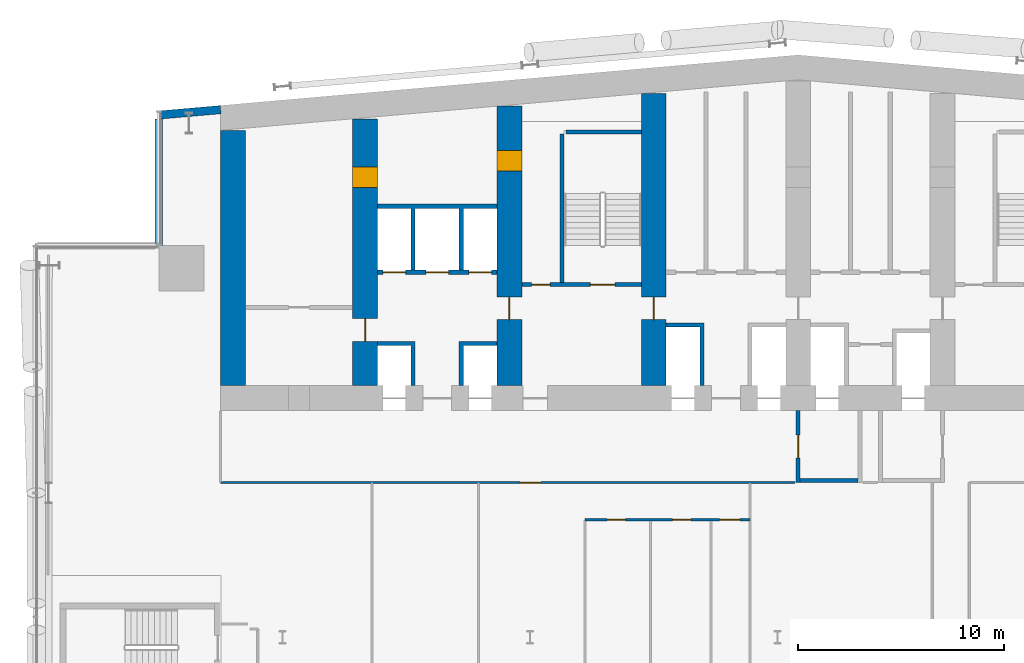
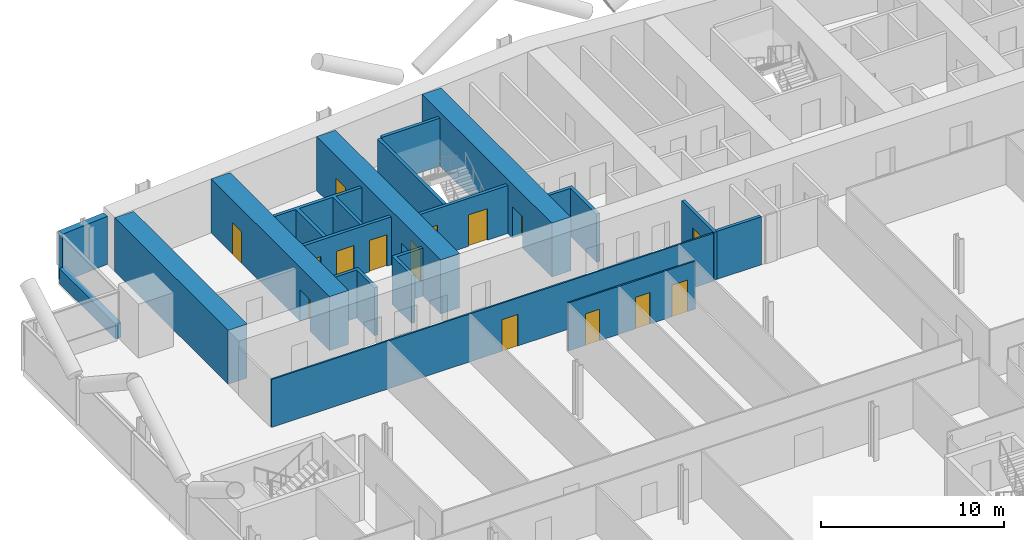
# One storey, part 15 of 27: 18 walls, 15 doors, 15 openings.
"""IFC4 building model written with IfcOpenShell, lengths in metres."""

from ifc_helpers import new_model, si_unit, direction, frame, frame_2d, origin, place, context, subcontext, project, spatial, polyline, rectangle, outline, extrude, material, layer, layer_set, type_object, element, fill, save


model = new_model("IFC4")

# Units and contexts
model_context = context("Model", 3, precision=1e-05, world=origin(), true_north=direction((0.0, 1.0)))
body_context = subcontext(model_context, "Body", "Model", "MODEL_VIEW")
ifc_project = project(units=[si_unit("LENGTHUNIT", "METRE"), si_unit("AREAUNIT", "SQUARE_METRE"), si_unit("VOLUMEUNIT", "CUBIC_METRE"), si_unit("PLANEANGLEUNIT", "RADIAN"), si_unit("MASSUNIT", "GRAM", prefix="KILO")], contexts=[model_context])

# Site, building, storey
site_placement = place(None, origin())
site = spatial("IfcSite", under=ifc_project, at=site_placement, CompositionType="ELEMENT")
building_placement = place(site_placement, origin())
building = spatial("IfcBuilding", under=site, at=building_placement, Name="Wharfspan Tower", CompositionType="ELEMENT")
storey_placement = place(building_placement, frame((0.0, 0.0, 84.699951)))
storey = spatial("IfcBuildingStorey", under=building, at=storey_placement, Name="L18", CompositionType="ELEMENT", Elevation=84.699951)

# Wall, opening, door
ifc_material_1 = material(Name="Gypsum board on steel studs", Category="steel")
ifc_layer_1 = layer(ifc_material_1, 0.100098)
ifc_layer_set_1 = layer_set([ifc_layer_1], Name="Gypsum board on steel studs")
wall_type_1 = type_object("IfcWallType", Name="Compartment wall 100 EI 60", PredefinedType="PARTITIONING", material=ifc_layer_set_1)
wall_1_placement = place(storey_placement, frame((9.0, 30.5, 0.0), z_axis=(0.0, 0.0, 1.0), x_axis=(1.0, 0.0, 0.0)))
wall_1 = element("IfcWall", 1, at=wall_1_placement, inside=storey, type_object=wall_type_1, Name="Partition L18.w009", PredefinedType="PARTITIONING", context=body_context, shape_type="SweptSolid", body=[
    extrude(rectangle(XDim=27.850098, YDim=0.100098, at=frame_2d((13.925049, 0.0))), origin(), (0.0, 0.0, 1.0), 3.199951),
])
opening_1_placement = place(wall_1_placement, frame((14.52002, 0.0, 0.0)))
opening_1 = element("IfcOpeningElement", 2, at=opening_1_placement, cuts=wall_1, Name="Opening A5-25", PredefinedType="OPENING", context=body_context, shape_type="SweptSolid", body=[
    extrude(rectangle(XDim=1.0, YDim=2.100098, at=frame_2d((0.5, 1.050049))), frame((0.0, 0.060059, 0.0), z_axis=(0.0, -1.0, 0.0), x_axis=(1.0, 0.0, 0.0)), (0.0, 0.0, 1.0), 0.120117),
])
ifc_material_2 = material(Name="Fire-rated timber door leaf in steel frame", Category="steel")
door_type_1 = type_object("IfcDoorType", Name="Door 1000 FD30S Left", OperationType="SINGLE_SWING_LEFT", PredefinedType="DOOR", material=ifc_material_2)
door_1_placement = place(opening_1_placement, origin())
door_1 = element("IfcDoor", 3, at=door_1_placement, inside=storey, type_object=door_type_1, Name="Door A5-25", OperationType="SINGLE_SWING_LEFT", OverallHeight=2.100098, OverallWidth=1.0, PredefinedType="DOOR", context=body_context, shape_type="SweptSolid", body=[
    extrude(rectangle(XDim=1.0, YDim=2.100098, at=frame_2d((0.5, 1.050049))), frame((0.0, 0.024902, 0.0), z_axis=(0.0, -1.0, 0.0), x_axis=(1.0, 0.0, 0.0)), (0.0, 0.0, 1.0), 0.050049),
])
fill(opening_1, door_1)

# Wall
ifc_material_3 = material(Name="Concrete C70/85", Category="concrete")
ifc_layer_2 = layer(ifc_material_3, 1.199951)
ifc_layer_set_2 = layer_set([ifc_layer_2], Name="Concrete C70/85")
wall_type_2 = type_object("IfcWallType", Name="Core wall 1200 C70/85", PredefinedType="SHEAR", material=ifc_layer_set_2)
wall_2_placement = place(storey_placement, frame((9.600098, 35.199951, 0.0), z_axis=(0.0, 0.0, 1.0), x_axis=(0.0, 1.0, 0.0)))
element("IfcWall", 4, at=wall_2_placement, inside=storey, type_object=wall_type_2, Name="Core cross wall EW0 L18", PredefinedType="SHEAR", context=body_context, shape_type="SweptSolid", body=[
    extrude(rectangle(XDim=12.382812, YDim=1.199951, at=frame_2d((6.191406, 0.0))), origin(), (0.0, 0.0, 1.0), 3.600098),
])

# Wall, openings, doors
wall_3_placement = place(storey_placement, frame((16.0, 35.199951, 0.0), z_axis=(0.0, 0.0, 1.0), x_axis=(0.0, 1.0, 0.0)))
wall_3 = element("IfcWall", 5, at=wall_3_placement, inside=storey, type_object=wall_type_2, Name="Core cross wall X1 L18", PredefinedType="SHEAR", context=body_context, shape_type="SweptSolid", body=[
    extrude(rectangle(XDim=12.942871, YDim=1.199951, at=frame_2d((6.471436, 0.0))), origin(), (0.0, 0.0, 1.0), 3.600098),
])
opening_2_placement = place(wall_3_placement, frame((2.149902, 0.0, 0.0)))
opening_2 = element("IfcOpeningElement", 6, at=opening_2_placement, cuts=wall_3, Name="Opening CC18.1", PredefinedType="OPENING", context=body_context, shape_type="SweptSolid", body=[
    extrude(rectangle(XDim=1.100098, YDim=2.100098, at=frame_2d((0.550049, 1.050049))), frame((0.0, 0.609863, 0.0), z_axis=(0.0, -1.0, 0.0), x_axis=(1.0, 0.0, 0.0)), (0.0, 0.0, 1.0), 1.219971),
])
opening_3_placement = place(wall_3_placement, frame((9.600098, 0.0, 0.0)))
opening_3 = element("IfcOpeningElement", 7, at=opening_3_placement, cuts=wall_3, Name="Opening CR18.1", PredefinedType="OPENING", context=body_context, shape_type="SweptSolid", body=[
    extrude(rectangle(XDim=1.0, YDim=2.100098, at=frame_2d((0.5, 1.050049))), frame((0.0, 0.609863, 0.0), z_axis=(0.0, -1.0, 0.0), x_axis=(1.0, 0.0, 0.0)), (0.0, 0.0, 1.0), 1.219971),
])
ifc_material_4 = material(Name="Steel door leaf", Category="steel")
door_type_2 = type_object("IfcDoorType", Name="Core corridor door 1100x2100", OperationType="SINGLE_SWING_LEFT", PredefinedType="DOOR", material=ifc_material_4)
door_2_placement = place(opening_2_placement, origin())
door_2 = element("IfcDoor", 8, at=door_2_placement, inside=storey, type_object=door_type_2, Name="xd:L18:1", OperationType="SINGLE_SWING_LEFT", OverallHeight=2.100098, OverallWidth=1.100098, PredefinedType="DOOR", context=body_context, shape_type="SweptSolid", body=[
    extrude(rectangle(XDim=1.100098, YDim=2.100098, at=frame_2d((0.550049, 1.050049))), frame((0.0, 0.024902, 0.0), z_axis=(0.0, -1.0, 0.0), x_axis=(1.0, 0.0, 0.0)), (0.0, 0.0, 1.0), 0.050049),
])
fill(opening_2, door_2)
door_type_3 = type_object("IfcDoorType", Name="Core room door 1000x2100", OperationType="SINGLE_SWING_LEFT", PredefinedType="DOOR", material=ifc_material_4)
door_3_placement = place(opening_3_placement, origin())
door_3 = element("IfcDoor", 9, at=door_3_placement, inside=storey, type_object=door_type_3, Name="xr:L18:1", OperationType="SINGLE_SWING_RIGHT", OverallHeight=2.100098, OverallWidth=1.0, PredefinedType="DOOR", context=body_context, shape_type="SweptSolid", body=[
    extrude(rectangle(XDim=1.0, YDim=2.100098, at=frame_2d((0.5, 1.050049))), frame((0.0, 0.599609, 0.0), z_axis=(0.0, -1.0, 0.0), x_axis=(1.0, 0.0, 0.0)), (0.0, 0.0, 1.0), 1.199463),
])
fill(opening_3, door_3)

wall_4_placement = place(storey_placement, frame((23.0, 35.199951, 0.0), z_axis=(0.0, 0.0, 1.0), x_axis=(0.0, 1.0, 0.0)))
wall_4 = element("IfcWall", 10, at=wall_4_placement, inside=storey, type_object=wall_type_2, Name="Core cross wall X2 L18", PredefinedType="SHEAR", context=body_context, shape_type="SweptSolid", body=[
    extrude(rectangle(XDim=13.555176, YDim=1.199951, at=frame_2d((6.777588, 0.0))), origin(), (0.0, 0.0, 1.0), 3.600098),
])
opening_4_placement = place(wall_4_placement, frame((10.413818, 0.0, 0.0)))
opening_4 = element("IfcOpeningElement", 11, at=opening_4_placement, cuts=wall_4, Name="Opening CD18.1X", PredefinedType="OPENING", context=body_context, shape_type="SweptSolid", body=[
    extrude(rectangle(XDim=1.0, YDim=2.100098, at=frame_2d((0.5, 1.050049))), frame((0.0, 0.609863, 0.0), z_axis=(0.0, -1.0, 0.0), x_axis=(1.0, 0.0, 0.0)), (0.0, 0.0, 1.0), 1.219971),
])
opening_5_placement = place(wall_4_placement, frame((3.199951, 0.0, 0.0)))
opening_5 = element("IfcOpeningElement", 12, at=opening_5_placement, cuts=wall_4, Name="Opening CC18.2", PredefinedType="OPENING", context=body_context, shape_type="SweptSolid", body=[
    extrude(rectangle(XDim=1.100098, YDim=2.100098, at=frame_2d((0.550049, 1.050049))), frame((0.0, 0.609863, 0.0), z_axis=(0.0, -1.0, 0.0), x_axis=(1.0, 0.0, 0.0)), (0.0, 0.0, 1.0), 1.219971),
])
door_4_placement = place(opening_5_placement, origin())
door_4 = element("IfcDoor", 13, at=door_4_placement, inside=storey, type_object=door_type_2, Name="xd:L18:2", OperationType="SINGLE_SWING_RIGHT", OverallHeight=2.100098, OverallWidth=1.100098, PredefinedType="DOOR", context=body_context, shape_type="SweptSolid", body=[
    extrude(rectangle(XDim=1.100098, YDim=2.100098, at=frame_2d((0.550049, 1.050049))), frame((0.0, 0.024902, 0.0), z_axis=(0.0, -1.0, 0.0), x_axis=(1.0, 0.0, 0.0)), (0.0, 0.0, 1.0), 0.050049),
])
fill(opening_5, door_4)
door_5_placement = place(opening_4_placement, origin())
door_5 = element("IfcDoor", 14, at=door_5_placement, inside=storey, type_object=door_type_3, Name="d:L18:1:sx", OperationType="SINGLE_SWING_LEFT", OverallHeight=2.100098, OverallWidth=1.0, PredefinedType="DOOR", context=body_context, shape_type="SweptSolid", body=[
    extrude(rectangle(XDim=1.0, YDim=2.100098, at=frame_2d((0.5, 1.050049))), frame((0.0, 0.599609, 0.0), z_axis=(0.0, -1.0, 0.0), x_axis=(1.0, 0.0, 0.0)), (0.0, 0.0, 1.0), 1.199463),
])
fill(opening_4, door_5)

# Wall, opening, door
wall_5_placement = place(storey_placement, frame((30.0, 35.199951, 0.0), z_axis=(0.0, 0.0, 1.0), x_axis=(0.0, 1.0, 0.0)))
wall_5 = element("IfcWall", 15, at=wall_5_placement, inside=storey, type_object=wall_type_2, Name="Core cross wall X3 L18", PredefinedType="SHEAR", context=body_context, shape_type="SweptSolid", body=[
    extrude(rectangle(XDim=14.167725, YDim=1.199951, at=frame_2d((7.083984, 0.0))), origin(), (0.0, 0.0, 1.0), 3.600098),
])
opening_6_placement = place(wall_5_placement, frame((3.199951, 0.0, 0.0)))
opening_6 = element("IfcOpeningElement", 16, at=opening_6_placement, cuts=wall_5, Name="Opening CC18.3", PredefinedType="OPENING", context=body_context, shape_type="SweptSolid", body=[
    extrude(rectangle(XDim=1.100098, YDim=2.100098, at=frame_2d((0.550049, 1.050049))), frame((0.0, 0.609863, 0.0), z_axis=(0.0, -1.0, 0.0), x_axis=(1.0, 0.0, 0.0)), (0.0, 0.0, 1.0), 1.219971),
])
door_6_placement = place(opening_6_placement, origin())
door_6 = element("IfcDoor", 17, at=door_6_placement, inside=storey, type_object=door_type_2, Name="xd:L18:3", OperationType="SINGLE_SWING_LEFT", OverallHeight=2.100098, OverallWidth=1.100098, PredefinedType="DOOR", context=body_context, shape_type="SweptSolid", body=[
    extrude(rectangle(XDim=1.100098, YDim=2.100098, at=frame_2d((0.550049, 1.050049))), frame((0.0, 0.024902, 0.0), z_axis=(0.0, -1.0, 0.0), x_axis=(1.0, 0.0, 0.0)), (0.0, 0.0, 1.0), 0.050049),
])
fill(opening_6, door_6)

# Wall, openings, doors
ifc_material_5 = material(Name="Concrete C30/37", Category="concrete")
ifc_layer_3 = layer(ifc_material_5, 0.199951)
ifc_layer_set_3 = layer_set([ifc_layer_3], Name="Concrete C30/37")
wall_type_3 = type_object("IfcWallType", Name="Lift shaft wall 200", PredefinedType="PARTITIONING", material=ifc_layer_set_3)
wall_6_placement = place(storey_placement, frame((16.600098, 40.699951, 0.0), z_axis=(0.0, 0.0, 1.0), x_axis=(1.0, 0.0, 0.0)))
wall_6 = element("IfcWall", 18, at=wall_6_placement, inside=storey, type_object=wall_type_3, Name="sw:L18:RF1", PredefinedType="PARTITIONING", context=body_context, shape_type="SweptSolid", body=[
    extrude(rectangle(XDim=5.799805, YDim=0.199951, at=frame_2d((2.899902, 0.0))), origin(), (0.0, 0.0, 1.0), 3.199951),
])
opening_7_placement = place(wall_6_placement, frame((0.266602, 0.0, 0.0)))
opening_7 = element("IfcOpeningElement", 19, at=opening_7_placement, cuts=wall_6, Name="Opening LD.LA3.L18", PredefinedType="OPENING", context=body_context, shape_type="SweptSolid", body=[
    extrude(rectangle(XDim=1.100098, YDim=2.100098, at=frame_2d((0.550049, 1.050049))), frame((0.0, 0.109863, 0.0), z_axis=(0.0, -1.0, 0.0), x_axis=(1.0, 0.0, 0.0)), (0.0, 0.0, 1.0), 0.219971),
])
opening_8_placement = place(wall_6_placement, frame((2.350098, 0.0, 0.0)))
opening_8 = element("IfcOpeningElement", 20, at=opening_8_placement, cuts=wall_6, Name="Opening LD.LA4.L18", PredefinedType="OPENING", context=body_context, shape_type="SweptSolid", body=[
    extrude(rectangle(XDim=1.100098, YDim=2.100098, at=frame_2d((0.550049, 1.050049))), frame((0.0, 0.109863, 0.0), z_axis=(0.0, -1.0, 0.0), x_axis=(1.0, 0.0, 0.0)), (0.0, 0.0, 1.0), 0.219971),
])
opening_9_placement = place(wall_6_placement, frame((4.43335, 0.0, 0.0)))
opening_9 = element("IfcOpeningElement", 21, at=opening_9_placement, cuts=wall_6, Name="Opening LD.LA5.L18", PredefinedType="OPENING", context=body_context, shape_type="SweptSolid", body=[
    extrude(rectangle(XDim=1.100098, YDim=2.100098, at=frame_2d((0.550049, 1.050049))), frame((0.0, 0.109863, 0.0), z_axis=(0.0, -1.0, 0.0), x_axis=(1.0, 0.0, 0.0)), (0.0, 0.0, 1.0), 0.219971),
])
ifc_material_6 = material(Name="Stainless steel", Category="steel")
door_type_4 = type_object("IfcDoorType", Name="Lift landing door 1100x2100", OperationType="DOUBLE_DOOR_SLIDING", PredefinedType="DOOR", material=ifc_material_6)
door_7_placement = place(opening_7_placement, origin())
door_7 = element("IfcDoor", 22, at=door_7_placement, inside=storey, type_object=door_type_4, Name="Landing door LA3 L18", OperationType="DOUBLE_DOOR_SLIDING", OverallHeight=2.100098, OverallWidth=1.100098, PredefinedType="DOOR", context=body_context, shape_type="SweptSolid", body=[
    extrude(rectangle(XDim=1.100098, YDim=2.100098, at=frame_2d((0.550049, 1.050049))), frame((0.0, 0.024902, 0.0), z_axis=(0.0, -1.0, 0.0), x_axis=(1.0, 0.0, 0.0)), (0.0, 0.0, 1.0), 0.050049),
])
fill(opening_7, door_7)
door_8_placement = place(opening_8_placement, origin())
door_8 = element("IfcDoor", 23, at=door_8_placement, inside=storey, type_object=door_type_4, Name="Landing door LA4 L18", OperationType="DOUBLE_DOOR_SLIDING", OverallHeight=2.100098, OverallWidth=1.100098, PredefinedType="DOOR", context=body_context, shape_type="SweptSolid", body=[
    extrude(rectangle(XDim=1.100098, YDim=2.100098, at=frame_2d((0.550049, 1.050049))), frame((0.0, 0.024902, 0.0), z_axis=(0.0, -1.0, 0.0), x_axis=(1.0, 0.0, 0.0)), (0.0, 0.0, 1.0), 0.050049),
])
fill(opening_8, door_8)
door_9_placement = place(opening_9_placement, origin())
door_9 = element("IfcDoor", 24, at=door_9_placement, inside=storey, type_object=door_type_4, Name="Landing door LA5 L18", OperationType="DOUBLE_DOOR_SLIDING", OverallHeight=2.100098, OverallWidth=1.100098, PredefinedType="DOOR", context=body_context, shape_type="SweptSolid", body=[
    extrude(rectangle(XDim=1.100098, YDim=2.100098, at=frame_2d((0.550049, 1.050049))), frame((0.0, 0.024902, 0.0), z_axis=(0.0, -1.0, 0.0), x_axis=(1.0, 0.0, 0.0)), (0.0, 0.0, 1.0), 0.050049),
])
fill(opening_9, door_9)

# Walls
wall_7_placement = place(storey_placement, frame((0.0, 0.0, -0.000244)))
element("IfcWall", 25, at=wall_7_placement, inside=storey, type_object=wall_type_3, Name="sw:L18:FM1.0", PredefinedType="PARTITIONING", context=body_context, shape_type="SweptSolid", body=[
    extrude(outline(polyline([(18.233398, 37.149902), (16.600098, 37.149902), (16.600098, 37.350098), (18.233398, 37.350098), (18.43335, 37.350098), (18.43335, 35.199951), (18.233398, 35.199951), (18.233398, 37.149902)])), origin(), (0.0, 0.0, 1.0), 3.200195),
])
wall_8_placement = place(storey_placement, frame((0.0, 0.0, -0.000244)))
element("IfcWall", 26, at=wall_8_placement, inside=storey, type_object=wall_type_3, Name="sw:L18:FM1.1", PredefinedType="PARTITIONING", context=body_context, shape_type="SweptSolid", body=[
    extrude(outline(polyline([(20.56665, 37.350098), (20.766602, 37.350098), (22.399902, 37.350098), (22.399902, 37.149902), (20.766602, 37.149902), (20.766602, 35.199951), (20.56665, 35.199951), (20.56665, 37.350098)])), origin(), (0.0, 0.0, 1.0), 3.200195),
])
wall_9_placement = place(storey_placement, frame((0.0, 0.0, -0.000244)))
element("IfcWall", 27, at=wall_9_placement, inside=storey, type_object=wall_type_3, Name="sw:L18:RM1.0", PredefinedType="PARTITIONING", context=body_context, shape_type="SweptSolid", body=[
    extrude(outline(polyline([(18.43335, 40.800049), (18.233398, 40.800049), (18.233398, 43.800049), (16.600098, 43.800049), (16.600098, 44.0), (22.399902, 44.0), (22.399902, 43.800049), (20.766602, 43.800049), (20.766602, 40.800049), (20.56665, 40.800049), (20.56665, 43.800049), (18.43335, 43.800049), (18.43335, 40.800049)])), origin(), (0.0, 0.0, 1.0), 3.200195),
])
wall_10_placement = place(storey_placement, frame((0.0, 0.0, -0.000244)))
element("IfcWall", 28, at=wall_10_placement, inside=storey, type_object=wall_type_3, Name="sw:L18:FM3.0", PredefinedType="PARTITIONING", context=body_context, shape_type="SweptSolid", body=[
    extrude(outline(polyline([(32.233398, 38.050049), (30.600098, 38.050049), (30.600098, 38.25), (32.233398, 38.25), (32.43335, 38.25), (32.43335, 35.199951), (32.233398, 35.199951), (32.233398, 38.050049)])), origin(), (0.0, 0.0, 1.0), 3.200195),
])

# Wall, opening, door
ifc_layer_4 = layer(ifc_material_5, 0.199951)
ifc_layer_set_4 = layer_set([ifc_layer_4], Name="Concrete C30/37")
wall_type_4 = type_object("IfcWallType", Name="Lobby wall 200", PredefinedType="PARTITIONING", material=ifc_layer_set_4)
wall_11_placement = place(storey_placement, frame((37.0, 30.5, 0.0), z_axis=(0.0, 0.0, 1.0), x_axis=(0.0, 1.0, 0.0)))
wall_11 = element("IfcWall", 29, at=wall_11_placement, inside=storey, type_object=wall_type_4, Name="sw:L18:FLFF1W", PredefinedType="PARTITIONING", context=body_context, shape_type="SweptSolid", body=[
    extrude(rectangle(XDim=3.5, YDim=0.199951, at=frame_2d((1.75, 0.0))), origin(), (0.0, 0.0, 1.0), 3.199951),
])
opening_10_placement = place(wall_11_placement, frame((1.199951, 0.0, 0.0)))
opening_10 = element("IfcOpeningElement", 30, at=opening_10_placement, cuts=wall_11, Name="Opening FL.FF1.L18", PredefinedType="OPENING", context=body_context, shape_type="SweptSolid", body=[
    extrude(rectangle(XDim=1.100098, YDim=2.100098, at=frame_2d((0.550049, 1.050049))), frame((0.0, 0.109863, 0.0), z_axis=(0.0, -1.0, 0.0), x_axis=(1.0, 0.0, 0.0)), (0.0, 0.0, 1.0), 0.219971),
])
door_type_5 = type_object("IfcDoorType", Name="Firefighting lobby door 1100x2100", OperationType="SINGLE_SWING_LEFT", PredefinedType="DOOR", material=ifc_material_4)
door_10_placement = place(opening_10_placement, origin())
door_10 = element("IfcDoor", 31, at=door_10_placement, inside=storey, type_object=door_type_5, Name="fd:L18:FF1", OperationType="SINGLE_SWING_LEFT", OverallHeight=2.100098, OverallWidth=1.100098, PredefinedType="DOOR", context=body_context, shape_type="SweptSolid", body=[
    extrude(rectangle(XDim=1.100098, YDim=2.100098, at=frame_2d((0.550049, 1.050049))), frame((0.0, 0.024902, 0.0), z_axis=(0.0, -1.0, 0.0), x_axis=(1.0, 0.0, 0.0)), (0.0, 0.0, 1.0), 0.050049),
])
fill(opening_10, door_10)

# Wall
wall_12_placement = place(storey_placement, frame((37.100098, 30.600098, 0.0), z_axis=(0.0, 0.0, 1.0), x_axis=(1.0, 0.0, 0.0)))
element("IfcWall", 32, at=wall_12_placement, inside=storey, type_object=wall_type_4, Name="sw:L18:FLFF1F", PredefinedType="PARTITIONING", context=body_context, shape_type="SweptSolid", body=[
    extrude(rectangle(XDim=2.799805, YDim=0.199951, at=frame_2d((1.399902, 0.0))), origin(), (0.0, 0.0, 1.0), 3.199951),
])

# Wall, openings, doors
ifc_layer_5 = layer(ifc_material_1, 0.100098)
ifc_layer_set_5 = layer_set([ifc_layer_5], Name="Gypsum board on steel studs")
wall_type_5 = type_object("IfcWallType", Name="Partition 100", PredefinedType="PARTITIONING", material=ifc_layer_set_5)
wall_13_placement = place(storey_placement, frame((26.665039, 28.699951, 0.0), z_axis=(0.0, 0.0, 1.0), x_axis=(1.0, 0.0, 0.0)))
wall_13 = element("IfcWall", 33, at=wall_13_placement, inside=storey, type_object=wall_type_5, Name="Partition L18.w020", PredefinedType="PARTITIONING", context=body_context, shape_type="SweptSolid", body=[
    extrude(rectangle(XDim=8.0, YDim=0.100098, at=frame_2d((4.0, 0.0))), origin(), (0.0, 0.0, 1.0), 3.199951),
])
opening_11_placement = place(wall_13_placement, frame((1.070068, 0.0, 0.0)))
opening_11 = element("IfcOpeningElement", 34, at=opening_11_placement, cuts=wall_13, Name="Opening A5-22", PredefinedType="OPENING", context=body_context, shape_type="SweptSolid", body=[
    extrude(rectangle(XDim=0.899902, YDim=2.100098, at=frame_2d((0.449951, 1.050049))), frame((0.0, 0.060059, 0.0), z_axis=(0.0, -1.0, 0.0), x_axis=(1.0, 0.0, 0.0)), (0.0, 0.0, 1.0), 0.120117),
])
opening_12_placement = place(wall_13_placement, frame((4.245117, 0.0, 0.0)))
opening_12 = element("IfcOpeningElement", 35, at=opening_12_placement, cuts=wall_13, Name="Opening A5-23", PredefinedType="OPENING", context=body_context, shape_type="SweptSolid", body=[
    extrude(rectangle(XDim=0.899902, YDim=2.100098, at=frame_2d((0.449951, 1.050049))), frame((0.0, 0.060059, 0.0), z_axis=(0.0, -1.0, 0.0), x_axis=(1.0, 0.0, 0.0)), (0.0, 0.0, 1.0), 0.120117),
])
opening_13_placement = place(wall_13_placement, frame((6.524902, 0.0, 0.0)))
opening_13 = element("IfcOpeningElement", 36, at=opening_13_placement, cuts=wall_13, Name="Opening A5-24", PredefinedType="OPENING", context=body_context, shape_type="SweptSolid", body=[
    extrude(rectangle(XDim=1.0, YDim=2.100098, at=frame_2d((0.5, 1.050049))), frame((0.0, 0.060059, 0.0), z_axis=(0.0, -1.0, 0.0), x_axis=(1.0, 0.0, 0.0)), (0.0, 0.0, 1.0), 0.120117),
])
ifc_material_7 = material(Name="Timber door leaf in steel frame", Category="steel")
door_type_6 = type_object("IfcDoorType", Name="Door 1000 NOT RATED Right", OperationType="SINGLE_SWING_RIGHT", PredefinedType="DOOR", material=ifc_material_7)
door_11_placement = place(opening_13_placement, origin())
door_11 = element("IfcDoor", 37, at=door_11_placement, inside=storey, type_object=door_type_6, Name="Door A5-24", OperationType="SINGLE_SWING_RIGHT", OverallHeight=2.100098, OverallWidth=1.0, PredefinedType="DOOR", context=body_context, shape_type="SweptSolid", body=[
    extrude(rectangle(XDim=1.0, YDim=2.100098, at=frame_2d((0.5, 1.050049))), frame((0.0, 0.024902, 0.0), z_axis=(0.0, -1.0, 0.0), x_axis=(1.0, 0.0, 0.0)), (0.0, 0.0, 1.0), 0.050049),
])
fill(opening_13, door_11)
door_type_7 = type_object("IfcDoorType", Name="Door 900 NOT RATED Left", OperationType="SINGLE_SWING_LEFT", PredefinedType="DOOR", material=ifc_material_7)
door_12_placement = place(opening_11_placement, origin())
door_12 = element("IfcDoor", 38, at=door_12_placement, inside=storey, type_object=door_type_7, Name="Door A5-22", OperationType="SINGLE_SWING_LEFT", OverallHeight=2.100098, OverallWidth=0.899902, PredefinedType="DOOR", context=body_context, shape_type="SweptSolid", body=[
    extrude(rectangle(XDim=0.899902, YDim=2.100098, at=frame_2d((0.449951, 1.050049))), frame((0.0, 0.024902, 0.0), z_axis=(0.0, -1.0, 0.0), x_axis=(1.0, 0.0, 0.0)), (0.0, 0.0, 1.0), 0.050049),
])
fill(opening_11, door_12)
door_type_8 = type_object("IfcDoorType", Name="Door 900 NOT RATED Right", OperationType="SINGLE_SWING_RIGHT", PredefinedType="DOOR", material=ifc_material_7)
door_13_placement = place(opening_12_placement, origin())
door_13 = element("IfcDoor", 39, at=door_13_placement, inside=storey, type_object=door_type_8, Name="Door A5-23", OperationType="SINGLE_SWING_RIGHT", OverallHeight=2.100098, OverallWidth=0.899902, PredefinedType="DOOR", context=body_context, shape_type="SweptSolid", body=[
    extrude(rectangle(XDim=0.899902, YDim=2.100098, at=frame_2d((0.449951, 1.050049))), frame((0.0, 0.024902, 0.0), z_axis=(0.0, -1.0, 0.0), x_axis=(1.0, 0.0, 0.0)), (0.0, 0.0, 1.0), 0.050049),
])
fill(opening_12, door_13)

# Wall
ifc_material_8 = material(Name="Concrete C40/50", Category="concrete")
ifc_layer_6 = layer(ifc_material_8, 0.350098)
ifc_layer_set_6 = layer_set([ifc_layer_6], Name="Concrete C40/50")
wall_type_6 = type_object("IfcWallType", Name="SPANDREL EXPOSED CONCRETE 350", PredefinedType="SOLIDWALL", material=ifc_layer_set_6)
wall_14_placement = place(storey_placement, frame((5.995117, 48.126465, 0.0), z_axis=(0.0, 0.0, 1.0), x_axis=(0.0, -1.0, 0.0)))
element("IfcWall", 40, at=wall_14_placement, inside=storey, type_object=wall_type_6, Name="Spandrel upstand L18 NRW-V", PredefinedType="SOLIDWALL", context=body_context, shape_type="SweptSolid", body=[
    extrude(rectangle(XDim=6.126465, YDim=0.350098, at=frame_2d((3.063232, 0.0))), origin(), (0.0, 0.0, 1.0), 1.0),
])

# Wall, openings, doors
ifc_layer_7 = layer(ifc_material_8, 0.199951)
ifc_layer_set_7 = layer_set([ifc_layer_7], Name="Concrete C40/50")
wall_type_7 = type_object("IfcWallType", Name="Stair shaft wall 200", PredefinedType="SHEAR", material=ifc_layer_set_7)
wall_15_placement = place(storey_placement, frame((23.600098, 40.100098, 0.0), z_axis=(0.0, 0.0, 1.0), x_axis=(1.0, 0.0, 0.0)))
wall_15 = element("IfcWall", 41, at=wall_15_placement, inside=storey, type_object=wall_type_7, Name="ST1 stair enclosure wall L18", PredefinedType="SHEAR", context=body_context, shape_type="SweptSolid", body=[
    extrude(rectangle(XDim=5.799805, YDim=0.199951, at=frame_2d((2.899902, 0.0))), origin(), (0.0, 0.0, 1.0), 3.199951),
])
opening_14_placement = place(wall_15_placement, frame((3.324951, 0.0, 0.0)))
opening_14 = element("IfcOpeningElement", 42, at=opening_14_placement, cuts=wall_15, Name="Opening SD2.L18", PredefinedType="OPENING", context=body_context, shape_type="SweptSolid", body=[
    extrude(rectangle(XDim=1.199951, YDim=2.100098, at=frame_2d((0.600098, 1.050049))), frame((0.0, 0.109863, 0.0), z_axis=(0.0, -1.0, 0.0), x_axis=(1.0, 0.0, 0.0)), (0.0, 0.0, 1.0), 0.219971),
])
opening_15_placement = place(wall_15_placement, frame((0.475098, 0.0, 0.0)))
opening_15 = element("IfcOpeningElement", 43, at=opening_15_placement, cuts=wall_15, Name="Opening CD18.2R", PredefinedType="OPENING", context=body_context, shape_type="SweptSolid", body=[
    extrude(rectangle(XDim=0.899902, YDim=2.100098, at=frame_2d((0.449951, 1.050049))), frame((0.0, 0.109863, 0.0), z_axis=(0.0, -1.0, 0.0), x_axis=(1.0, 0.0, 0.0)), (0.0, 0.0, 1.0), 0.219971),
])
door_14_placement = place(opening_15_placement, origin())
door_14 = element("IfcDoor", 44, at=door_14_placement, inside=storey, type_object=door_type_3, Name="rk:L18:2", OperationType="SINGLE_SWING_LEFT", OverallHeight=2.100098, OverallWidth=0.899902, PredefinedType="DOOR", context=body_context, shape_type="SweptSolid", body=[
    extrude(rectangle(XDim=0.899902, YDim=2.100098, at=frame_2d((0.449951, 1.050049))), frame((0.0, 0.024902, 0.0), z_axis=(0.0, -1.0, 0.0), x_axis=(1.0, 0.0, 0.0)), (0.0, 0.0, 1.0), 0.050049),
])
fill(opening_15, door_14)
door_type_9 = type_object("IfcDoorType", Name="Stair door 1200x2100", OperationType="SINGLE_SWING_LEFT", PredefinedType="DOOR", material=ifc_material_4)
door_15_placement = place(opening_14_placement, origin())
door_15 = element("IfcDoor", 45, at=door_15_placement, inside=storey, type_object=door_type_9, Name="sd:L18:2", OperationType="SINGLE_SWING_RIGHT", OverallHeight=2.100098, OverallWidth=1.199951, PredefinedType="DOOR", context=body_context, shape_type="SweptSolid", body=[
    extrude(rectangle(XDim=1.199951, YDim=2.100098, at=frame_2d((0.600098, 1.050049))), frame((0.0, 0.024902, 0.0), z_axis=(0.0, -1.0, 0.0), x_axis=(1.0, 0.0, 0.0)), (0.0, 0.0, 1.0), 0.050049),
])
fill(opening_14, door_15)

# Walls
wall_16_placement = place(storey_placement, frame((25.550049, 40.199951, 0.0), z_axis=(0.0, 0.0, 1.0), x_axis=(0.0, 1.0, 0.0)))
element("IfcWall", 46, at=wall_16_placement, inside=storey, type_object=wall_type_7, Name="ST1 stair enclosure wall L18", PredefinedType="SHEAR", context=body_context, shape_type="SweptSolid", body=[
    extrude(rectangle(XDim=7.199951, YDim=0.199951, at=frame_2d((3.600098, 0.0))), origin(), (0.0, 0.0, 1.0), 3.199951),
])
wall_17_placement = place(storey_placement, frame((25.75, 47.5, 0.0), z_axis=(0.0, 0.0, 1.0), x_axis=(1.0, 0.0, 0.0)))
element("IfcWall", 47, at=wall_17_placement, inside=storey, type_object=wall_type_7, Name="ST1 stair enclosure wall L18", PredefinedType="SHEAR", context=body_context, shape_type="SweptSolid", body=[
    extrude(rectangle(XDim=3.649902, YDim=0.199951, at=frame_2d((1.824951, 0.0))), origin(), (0.0, 0.0, 1.0), 3.199951),
])
ifc_layer_8 = layer(ifc_material_8, 0.399902)
ifc_layer_set_8 = layer_set([ifc_layer_8], Name="Concrete C40/50")
wall_type_8 = type_object("IfcWallType", Name="WALL EXPOSED CONCRETE 400", PredefinedType="SOLIDWALL", material=ifc_layer_set_8)
wall_18_placement = place(storey_placement, frame((9.0, 48.58667, 0.0), z_axis=(0.0, 0.0, 1.0), x_axis=(-0.996194, -0.087168, 0.0)))
element("IfcWall", 48, at=wall_18_placement, inside=storey, type_object=wall_type_8, Name="Rear wall N1", PredefinedType="SOLIDWALL", context=body_context, shape_type="SweptSolid", body=[
    extrude(rectangle(XDim=2.994141, YDim=0.399902, at=frame_2d((1.49707, 0.0))), origin(), (0.0, 0.0, 1.0), 3.199951),
])

save(model, "model.ifc")
